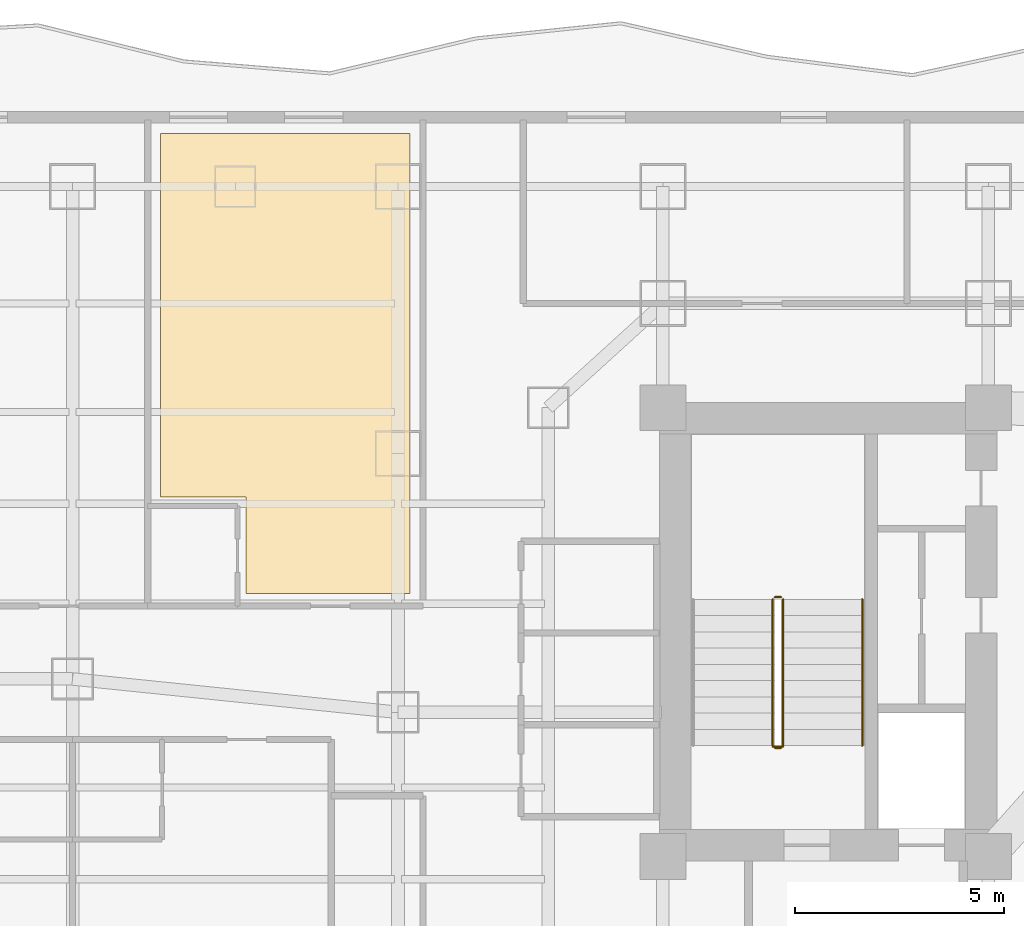
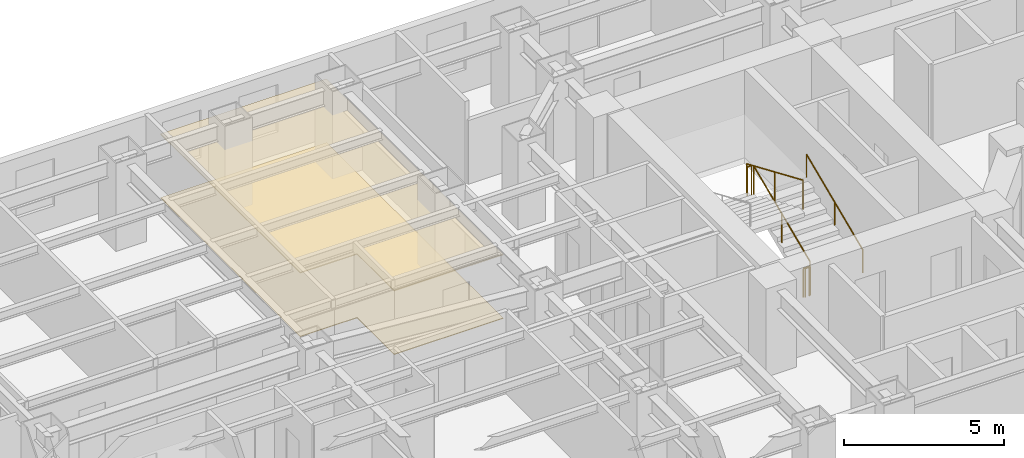
# One storey, part 37 of 38: 6 railings, 2 coverings.
"""IFC4 building model written with IfcOpenShell, lengths in metres."""

from ifc_helpers import new_model, si_unit, direction, frame, origin, origin_2d, place, context, subcontext, project, spatial, polyline, circle, outline, extrude, material, layer, layer_set, type_object, element, save


model = new_model("IFC4")

# Units and contexts
model_context = context("Model", 3, precision=1e-05, world=origin(), true_north=direction((0.0, 1.0)))
body_context = subcontext(model_context, "Body", "Model", "MODEL_VIEW")
ifc_project = project(units=[si_unit("LENGTHUNIT", "METRE"), si_unit("AREAUNIT", "SQUARE_METRE"), si_unit("VOLUMEUNIT", "CUBIC_METRE"), si_unit("PLANEANGLEUNIT", "RADIAN"), si_unit("MASSUNIT", "GRAM", prefix="KILO")], contexts=[model_context])

# Site, building, storey
site_placement = place(None, origin())
site = spatial("IfcSite", under=ifc_project, at=site_placement, CompositionType="ELEMENT")
building_placement = place(site_placement, origin())
building = spatial("IfcBuilding", under=site, at=building_placement, Name="Hatsunagi Terrace Concourse", CompositionType="ELEMENT")
storey_placement = place(building_placement, frame((0.0, 0.0, 63.39990234375)))
storey = spatial("IfcBuildingStorey", under=building, at=storey_placement, Name="L16", CompositionType="ELEMENT", Elevation=63.39990234375)

# Covering
ifc_material_1 = material(Name="Granite stone paving", Category="masonry")
ifc_layer_1 = layer(ifc_material_1, 0.02490234375)
ifc_layer_set_1 = layer_set([ifc_layer_1], Name="GraniteStoneFlooring_25")
covering_type_1 = type_object("IfcCoveringType", Name="GraniteStoneFlooring_25", PredefinedType="FLOORING", material=ifc_layer_set_1)
covering_1_placement = place(storey_placement, origin())
element("IfcCovering", 1, at=covering_1_placement, inside=storey, type_object=covering_type_1, Name="Finished Flooring L16-1", PredefinedType="FLOORING", context=body_context, shape_type="SweptSolid", body=[
    extrude(outline(polyline([(13.510009765625, 49.8701171875), (13.510009765625, 41.157958984375), (15.555908203125, 41.155029296875), (15.55810546875, 38.85009765625), (19.489990234375, 38.85009765625), (19.489990234375, 49.8701171875), (13.510009765625, 49.8701171875)])), origin(), (0.0, 0.0, 1.0), 0.025146484375),
])

# Railings
ifc_material_2 = material(Name="Stainless steel", Category="steel")
ifc_layer_2 = layer(ifc_material_2, 0.044921875)
ifc_layer_set_2 = layer_set([ifc_layer_2], Name="StairPitchHandrail_Tower2000")
railing_type_1 = type_object("IfcRailingType", Name="StairPitchHandrail_Tower2000", PredefinedType="HANDRAIL", material=ifc_layer_set_2)
railing_1_placement = place(storey_placement, frame((30.330078125, 35.199951171875, 0.16748046875)))
element("IfcRailing", 2, at=railing_1_placement, inside=storey, type_object=railing_type_1, Name="L16 ST-A stair handrail 1", PredefinedType="HANDRAIL", context=body_context, shape_type="SweptSolid", body=[
    extrude(circle(Radius=0.02392578125, at=origin_2d()), frame((0.0, 0.0, 0.8759765625), z_axis=(0.0, 0.918834009242, 0.394644223904), x_axis=(-1.0, 0.0, 0.0)), (0.0, 0.0, 1.0), 3.820068359375),
    extrude(circle(Radius=0.02099609375, at=origin_2d()), origin(), (0.0, 0.0, 1.0), 0.851806640625),
    extrude(circle(Radius=0.02099609375, at=origin_2d()), frame((0.0, 1.7548828125, 0.75390625)), (0.0, 0.0, 1.0), 0.851806640625),
    extrude(circle(Radius=0.02099609375, at=origin_2d()), frame((0.0, 3.510009765625, 1.507568359375)), (0.0, 0.0, 1.0), 0.851806640625),
])
ifc_material_3 = material(Name="Stainless steel", Category="steel")
ifc_layer_3 = layer(ifc_material_3, 0.06005859375)
ifc_layer_set_3 = layer_set([ifc_layer_3], Name="StairWellGuard_Tower2000")
railing_type_2 = type_object("IfcRailingType", Name="StairWellGuard_Tower2000", PredefinedType="BALUSTRADE", material=ifc_layer_set_3)
railing_2_placement = place(storey_placement, frame((28.429931640625, 35.199951171875, 0.16748046875)))
element("IfcRailing", 3, at=railing_2_placement, inside=storey, type_object=railing_type_2, Name="L16 ST-A stair guard 1", PredefinedType="BALUSTRADE", context=body_context, shape_type="SweptSolid", body=[
    extrude(circle(Radius=0.02392578125, at=origin_2d()), frame((0.0, 0.0, 1.09619140625), z_axis=(0.0, 0.918834009242, 0.394644223904), x_axis=(-1.0, 0.0, 0.0)), (0.0, 0.0, 1.0), 3.820068359375),
    extrude(circle(Radius=0.02099609375, at=origin_2d()), origin(), (0.0, 0.0, 1.0), 1.072021484375),
    extrude(circle(Radius=0.02099609375, at=origin_2d()), frame((0.0, 1.7548828125, 0.75390625)), (0.0, 0.0, 1.0), 1.072021484375),
    extrude(circle(Radius=0.02099609375, at=origin_2d()), frame((0.0, 3.510009765625, 1.507568359375)), (0.0, 0.0, 1.0), 1.072021484375),
])
railing_3_placement = place(storey_placement, frame((28.3798828125, 38.760009765625, 1.675048828125)))
element("IfcRailing", 4, at=railing_3_placement, inside=storey, type_object=railing_type_2, Name="L16 ST-A stair guard 2", PredefinedType="BALUSTRADE", context=body_context, shape_type="SweptSolid", body=[
    extrude(circle(Radius=0.02392578125, at=origin_2d()), frame((0.0, 0.0, 1.09619140625), z_axis=(-1.0, 0.0, 0.0), x_axis=(0.0, -1.0, 0.0)), (0.0, 0.0, 1.0), 0.14990234375),
    extrude(circle(Radius=0.02099609375, at=origin_2d()), origin(), (0.0, 0.0, 1.0), 1.072021484375),
    extrude(circle(Radius=0.02099609375, at=origin_2d()), frame((-0.14990234375, 0.0, 0.0)), (0.0, 0.0, 1.0), 1.072021484375),
])
railing_4_placement = place(storey_placement, frame((28.179931640625, 38.7099609375, 1.842529296875)))
element("IfcRailing", 5, at=railing_4_placement, inside=storey, type_object=railing_type_2, Name="L16 ST-A stair guard 3", PredefinedType="BALUSTRADE", context=body_context, shape_type="SweptSolid", body=[
    extrude(circle(Radius=0.02392578125, at=origin_2d()), frame((0.0, 0.0, 1.09619140625), z_axis=(0.0, -0.918834009242, 0.394644223904), x_axis=(1.0, 0.0, 0.0)), (0.0, 0.0, 1.0), 3.820068359375),
    extrude(circle(Radius=0.02099609375, at=origin_2d()), origin(), (0.0, 0.0, 1.0), 1.072021484375),
    extrude(circle(Radius=0.02099609375, at=origin_2d()), frame((0.0, -1.7548828125, 0.75390625)), (0.0, 0.0, 1.0), 1.072021484375),
    extrude(circle(Radius=0.02099609375, at=origin_2d()), frame((0.0, -3.510009765625, 1.507568359375)), (0.0, 0.0, 1.0), 1.072021484375),
])
railing_5_placement = place(storey_placement, frame((28.3798828125, 35.14990234375, 0.0)))
element("IfcRailing", 6, at=railing_5_placement, inside=storey, type_object=railing_type_2, Name="L16 ST-A stair guard 4", PredefinedType="BALUSTRADE", context=body_context, shape_type="SweptSolid", body=[
    extrude(circle(Radius=0.02392578125, at=origin_2d()), frame((0.0, 0.0, 1.09619140625), z_axis=(-1.0, 0.0, 0.0), x_axis=(0.0, -1.0, 0.0)), (0.0, 0.0, 1.0), 0.14990234375),
    extrude(circle(Radius=0.02099609375, at=origin_2d()), origin(), (0.0, 0.0, 1.0), 1.072021484375),
    extrude(circle(Radius=0.02099609375, at=origin_2d()), frame((-0.14990234375, 0.0, 0.0)), (0.0, 0.0, 1.0), 1.072021484375),
])
ifc_material_4 = material(Name="Stainless Steel SUS316 Post-and-Rail Guard", Category="steel")
ifc_layer_4 = layer(ifc_material_4, 0.080078125)
ifc_layer_set_4 = layer_set([ifc_layer_4], Name="TerracePlantedGuardRail_1200")
railing_type_3 = type_object("IfcRailingType", Name="TerracePlantedGuardRail_1200", PredefinedType="GUARDRAIL", material=ifc_layer_set_4)
railing_6_placement = place(storey_placement, frame((28.179931640625, 35.179931640625, 0.0)))
element("IfcRailing", 7, at=railing_6_placement, inside=storey, type_object=railing_type_3, Name="Stair ST-A Well Closure Guard L16", PredefinedType="GUARDRAIL", context=body_context, shape_type="SweptSolid", body=[
    extrude(circle(Radius=0.02392578125, at=origin_2d()), frame((0.0, 0.0, 1.09619140625), z_axis=(1.0, 0.0, 0.0), x_axis=(0.0, 1.0, 0.0)), (0.0, 0.0, 1.0), 0.25),
    extrude(circle(Radius=0.02099609375, at=origin_2d()), origin(), (0.0, 0.0, 1.0), 1.072021484375),
    extrude(circle(Radius=0.02099609375, at=origin_2d()), frame((0.25, 0.0, 0.0)), (0.0, 0.0, 1.0), 1.072021484375),
])

# Covering
ifc_material_5 = material(Name="Hardwood timber", Category="wood")
ifc_layer_5 = layer(ifc_material_5, 0.034912109375)
ifc_layer_set_5 = layer_set([ifc_layer_5], Name="TimberBaffleCeiling_35")
covering_type_2 = type_object("IfcCoveringType", Name="TimberBaffleCeiling_35", PredefinedType="CEILING", material=ifc_layer_set_5)
covering_2_placement = place(storey_placement, frame((0.0, 0.0, 2.420166015625)))
element("IfcCovering", 8, at=covering_2_placement, inside=storey, type_object=covering_type_2, Name="Suspended Ceiling L16-1", PredefinedType="CEILING", context=body_context, shape_type="SweptSolid", body=[
    extrude(outline(polyline([(13.510009765625, 49.8701171875), (13.510009765625, 41.157958984375), (15.555908203125, 41.155029296875), (15.55810546875, 38.85009765625), (19.489990234375, 38.85009765625), (19.489990234375, 49.8701171875), (13.510009765625, 49.8701171875)])), origin(), (0.0, 0.0, 1.0), 0.034912109375),
])

save(model, "model.ifc")
